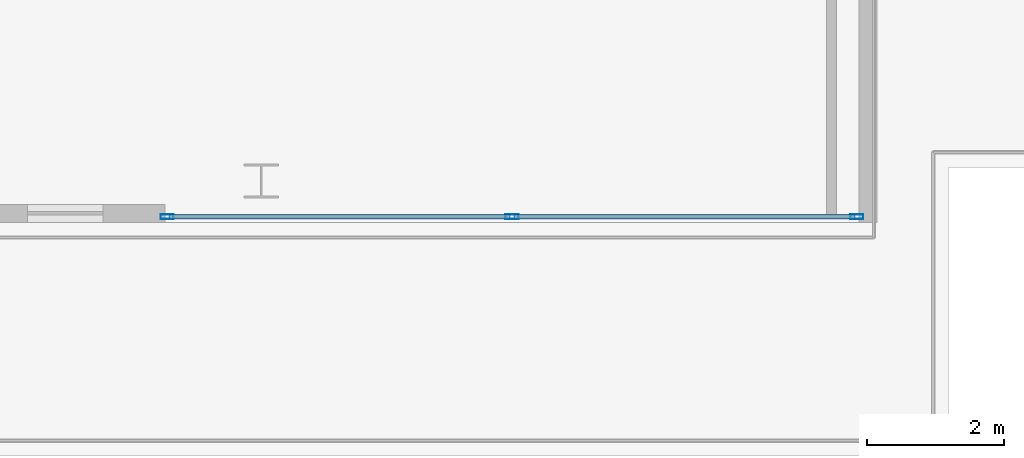
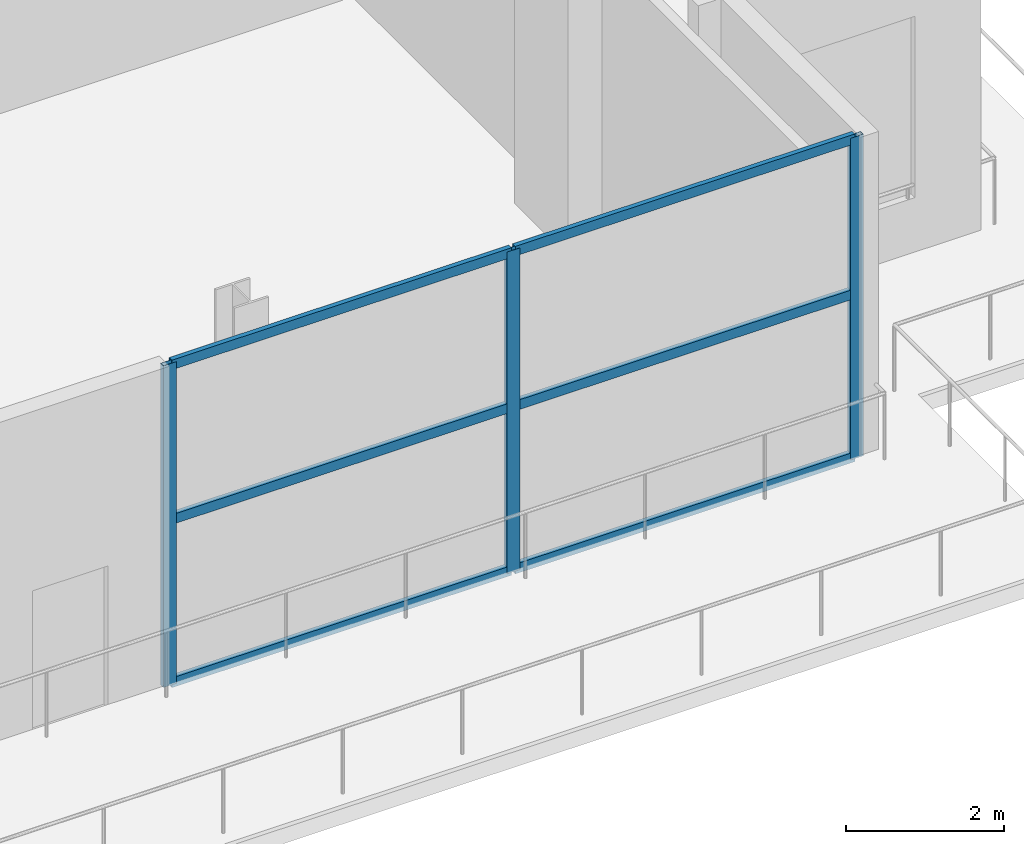
# One storey, part 4 of 19: 9 members, 1 element without a shape of its own.
"""IFC4 building model written with IfcOpenShell, lengths in metres."""

from ifc_helpers import new_model, si_unit, direction, frame, origin, origin_2d, place, context, subcontext, project, spatial, hollow_rectangle, extrude, material, layer, layer_set, material_profile, profile_set, type_object, element, aggregate, save


model = new_model("IFC4")

# Units and contexts
model_context = context("Model", 3, precision=1e-05, world=origin(), true_north=direction((0.0, 1.0)))
body_context = subcontext(model_context, "Body", "Model", "MODEL_VIEW")
ifc_project = project(units=[si_unit("LENGTHUNIT", "METRE"), si_unit("AREAUNIT", "SQUARE_METRE"), si_unit("VOLUMEUNIT", "CUBIC_METRE"), si_unit("PLANEANGLEUNIT", "RADIAN"), si_unit("MASSUNIT", "GRAM", prefix="KILO")], contexts=[model_context])

# Site, building, storey
site_placement = place(None, origin())
site = spatial("IfcSite", under=ifc_project, at=site_placement, CompositionType="ELEMENT")
building_placement = place(site_placement, origin())
building = spatial("IfcBuilding", under=site, at=building_placement, Name="Maruvema Waterfront Hotel and Observation Tower", CompositionType="ELEMENT")
storey_placement = place(building_placement, frame((0.0, 0.0, 359.10009765625)))
storey = spatial("IfcBuildingStorey", under=building, at=storey_placement, Name="L88", CompositionType="ELEMENT", Elevation=359.10009765625)

# Curtain wall, members
ifc_material_1 = material(Name="Anodised bronze aluminium and solar-control low-E IGU", Category="aluminium")
ifc_layer = layer(ifc_material_1, 0.159912109375, Name="Observation Crown Structural Glazed Curtain Wall System CW-06")
ifc_layer_set = layer_set([ifc_layer], Name="Anodised bronze aluminium and solar-control low-E IGU")
curtain_wall_type = type_object("IfcCurtainWallType", Name="Observation Crown Structural Glazed Curtain Wall System CW-06", PredefinedType="USERDEFINED", material=ifc_layer_set)
curtain_wall_placement = place(storey_placement, origin())
curtain_wall = element("IfcCurtainWall", 1, at=curtain_wall_placement, inside=storey, type_object=curtain_wall_type, Name="L88 Curtain Wall CW-L88-SE", ObjectType="UNITISED CURTAIN WALL", PredefinedType="USERDEFINED")
ifc_material_2 = material(Name="Anodised architectural bronze aluminium", Category="aluminium")
ifc_material_profile_1 = material_profile(ifc_material_2, hollow_rectangle(XDim=0.070068359375, YDim=0.14990234375, WallThickness=0.00390625, at=origin_2d()), Name="ALU-T70x150")
ifc_profile_set_1 = profile_set([ifc_material_profile_1], Name="Anodised architectural bronze aluminium")
member_type_1 = type_object("IfcMemberType", Name="Curtain Wall Horizontal Transom ALU-T70x150", PredefinedType="USERDEFINED", material=ifc_profile_set_1)
member_1_placement = place(storey_placement, frame((40.659912109375, 20.679931640625, 0.02978515625), z_axis=(1.0, 0.0, 0.0), x_axis=(0.0, 1.0, 0.0)))
member_1 = element("IfcMember", 2, at=member_1_placement, type_object=member_type_1, Name="CW-06 transom 1.1", ObjectType="TRANSOM", PredefinedType="USERDEFINED", context=body_context, shape_type="SweptSolid", body=[
    extrude(hollow_rectangle(XDim=0.070068359375, YDim=0.14990234375, WallThickness=0.00390625, at=origin_2d()), origin(), (0.0, 0.0, 1.0), 4.960205078125),
])
member_2_placement = place(storey_placement, frame((40.659912109375, 20.679931640625, 2.5498046875), z_axis=(1.0, 0.0, 0.0), x_axis=(0.0, 1.0, 0.0)))
member_2 = element("IfcMember", 3, at=member_2_placement, type_object=member_type_1, Name="CW-06 transom 1.2", ObjectType="TRANSOM", PredefinedType="USERDEFINED", context=body_context, shape_type="SweptSolid", body=[
    extrude(hollow_rectangle(XDim=0.070068359375, YDim=0.14990234375, WallThickness=0.00390625, at=origin_2d()), origin(), (0.0, 0.0, 1.0), 4.960205078125),
])
member_3_placement = place(storey_placement, frame((40.659912109375, 20.679931640625, 4.93994140625), z_axis=(1.0, 0.0, 0.0), x_axis=(0.0, 1.0, 0.0)))
member_3 = element("IfcMember", 4, at=member_3_placement, type_object=member_type_1, Name="CW-06 transom 1.3", ObjectType="TRANSOM", PredefinedType="USERDEFINED", context=body_context, shape_type="SweptSolid", body=[
    extrude(hollow_rectangle(XDim=0.070068359375, YDim=0.14990234375, WallThickness=0.00390625, at=origin_2d()), origin(), (0.0, 0.0, 1.0), 4.960205078125),
])
member_4_placement = place(storey_placement, frame((45.679931640625, 20.679931640625, 0.02978515625), z_axis=(1.0, 0.0, 0.0), x_axis=(0.0, 1.0, 0.0)))
member_4 = element("IfcMember", 5, at=member_4_placement, type_object=member_type_1, Name="CW-06 transom 2.1", ObjectType="TRANSOM", PredefinedType="USERDEFINED", context=body_context, shape_type="SweptSolid", body=[
    extrude(hollow_rectangle(XDim=0.070068359375, YDim=0.14990234375, WallThickness=0.00390625, at=origin_2d()), origin(), (0.0, 0.0, 1.0), 4.9599609375),
])
member_5_placement = place(storey_placement, frame((45.679931640625, 20.679931640625, 2.5498046875), z_axis=(1.0, 0.0, 0.0), x_axis=(0.0, 1.0, 0.0)))
member_5 = element("IfcMember", 6, at=member_5_placement, type_object=member_type_1, Name="CW-06 transom 2.2", ObjectType="TRANSOM", PredefinedType="USERDEFINED", context=body_context, shape_type="SweptSolid", body=[
    extrude(hollow_rectangle(XDim=0.070068359375, YDim=0.14990234375, WallThickness=0.00390625, at=origin_2d()), origin(), (0.0, 0.0, 1.0), 4.9599609375),
])
member_6_placement = place(storey_placement, frame((45.679931640625, 20.679931640625, 4.93994140625), z_axis=(1.0, 0.0, 0.0), x_axis=(0.0, 1.0, 0.0)))
member_6 = element("IfcMember", 7, at=member_6_placement, type_object=member_type_1, Name="CW-06 transom 2.3", ObjectType="TRANSOM", PredefinedType="USERDEFINED", context=body_context, shape_type="SweptSolid", body=[
    extrude(hollow_rectangle(XDim=0.070068359375, YDim=0.14990234375, WallThickness=0.00390625, at=origin_2d()), origin(), (0.0, 0.0, 1.0), 4.9599609375),
])
ifc_material_3 = material(Name="Anodised architectural bronze aluminium", Category="aluminium")
ifc_material_profile_2 = material_profile(ifc_material_3, hollow_rectangle(XDim=0.070068359375, YDim=0.18994140625, WallThickness=0.00390625, at=origin_2d()), Name="ALU-M70x190")
ifc_profile_set_2 = profile_set([ifc_material_profile_2], Name="Anodised architectural bronze aluminium")
member_type_2 = type_object("IfcMemberType", Name="Podium Storefront Heavy Mullion ALU-M70x190", PredefinedType="MULLION", material=ifc_profile_set_2)
member_7_placement = place(storey_placement, frame((40.6298828125, 20.679931640625, 0.0), z_axis=(0.0, 0.0, 1.0), x_axis=(0.0, 1.0, 0.0)))
member_7 = element("IfcMember", 8, at=member_7_placement, type_object=member_type_2, Name="CW-06 mullion 1", PredefinedType="MULLION", context=body_context, shape_type="SweptSolid", body=[
    extrude(hollow_rectangle(XDim=0.070068359375, YDim=0.18994140625, WallThickness=0.00390625, at=origin_2d()), origin(), (0.0, 0.0, 1.0), 4.969970703125),
])
member_8_placement = place(storey_placement, frame((45.64990234375, 20.679931640625, 0.0), z_axis=(0.0, 0.0, 1.0), x_axis=(0.0, 1.0, 0.0)))
member_8 = element("IfcMember", 9, at=member_8_placement, type_object=member_type_2, Name="CW-06 mullion 2", PredefinedType="MULLION", context=body_context, shape_type="SweptSolid", body=[
    extrude(hollow_rectangle(XDim=0.070068359375, YDim=0.18994140625, WallThickness=0.00390625, at=origin_2d()), origin(), (0.0, 0.0, 1.0), 4.969970703125),
])
member_9_placement = place(storey_placement, frame((50.669921875, 20.679931640625, 0.0), z_axis=(0.0, 0.0, 1.0), x_axis=(0.0, 1.0, 0.0)))
member_9 = element("IfcMember", 10, at=member_9_placement, type_object=member_type_2, Name="CW-06 mullion 3", PredefinedType="MULLION", context=body_context, shape_type="SweptSolid", body=[
    extrude(hollow_rectangle(XDim=0.070068359375, YDim=0.18994140625, WallThickness=0.00390625, at=origin_2d()), origin(), (0.0, 0.0, 1.0), 4.969970703125),
])
aggregate(curtain_wall, [member_7, member_8, member_9, member_1, member_2, member_3, member_4, member_5, member_6])

save(model, "model.ifc")
